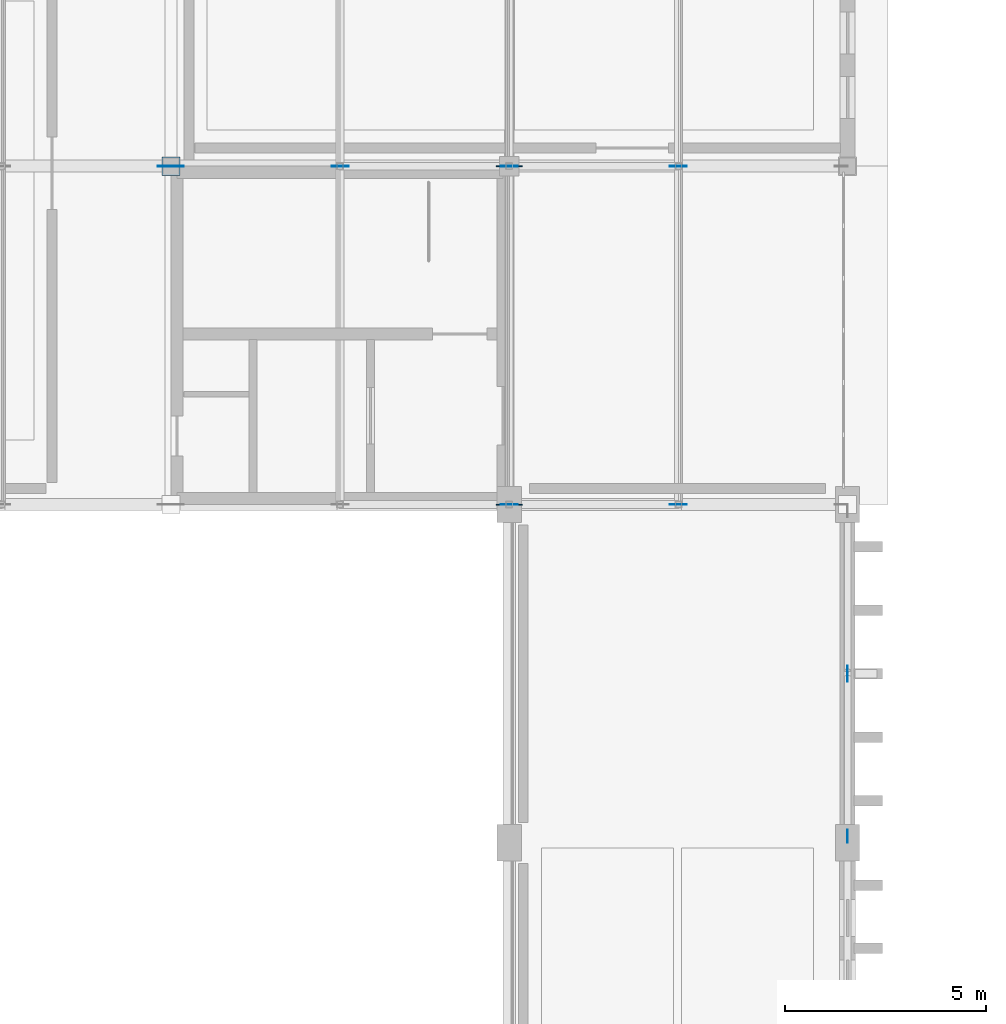
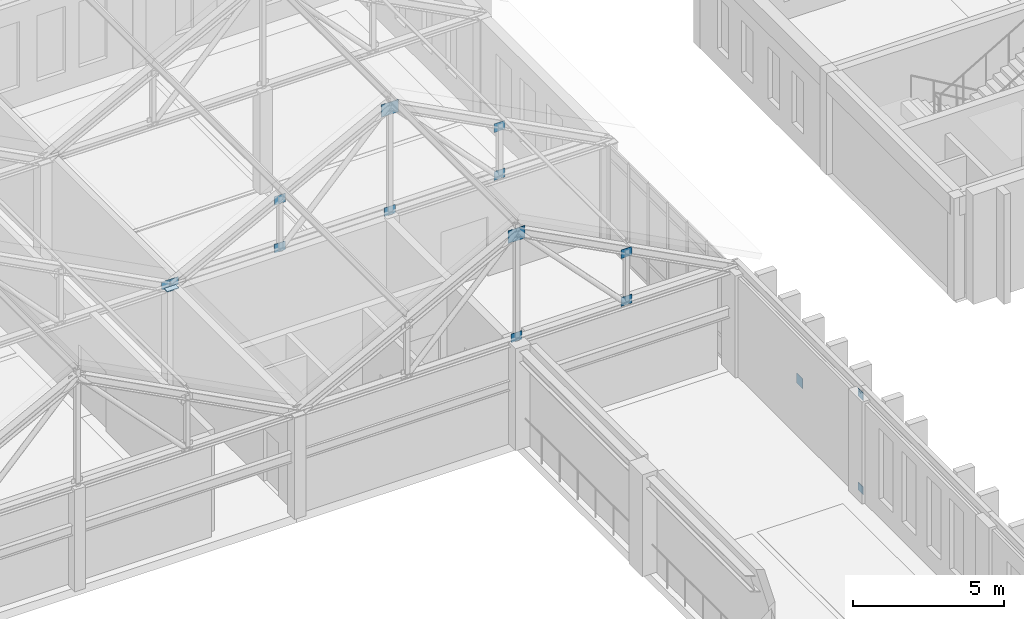
# One storey, part 148 of 192: 16 plates.
"""IFC4 building model written with IfcOpenShell, lengths in metres."""

from ifc_helpers import new_model, si_unit, direction, frame, origin, origin_2d, place, context, subcontext, project, spatial, rectangle, extrude, material, layer, layer_set, type_object, element, save


model = new_model("IFC4")

# Units and contexts
model_context = context("Model", 3, precision=1e-05, world=origin(), true_north=direction((0.0, 1.0)))
body_context = subcontext(model_context, "Body", "Model", "MODEL_VIEW")
ifc_project = project(units=[si_unit("LENGTHUNIT", "METRE"), si_unit("AREAUNIT", "SQUARE_METRE"), si_unit("VOLUMEUNIT", "CUBIC_METRE"), si_unit("PLANEANGLEUNIT", "RADIAN"), si_unit("MASSUNIT", "GRAM", prefix="KILO")], contexts=[model_context])

# Site, building, storey
site_placement = place(None, origin())
site = spatial("IfcSite", under=ifc_project, at=site_placement, CompositionType="ELEMENT")
building_placement = place(site_placement, origin())
building = spatial("IfcBuilding", under=site, at=building_placement, Name="Kveldsbrygga Polytechnic", CompositionType="ELEMENT")
storey_placement = place(building_placement, frame((0.0, 0.0, 5.43994140625)))
storey = spatial("IfcBuildingStorey", under=building, at=storey_placement, Name="L01", CompositionType="ELEMENT", Elevation=5.43994140625)

# Plates
ifc_material = material(Name="Steel S355", Category="steel")
ifc_layer_1 = layer(ifc_material, 0.030029296875)
ifc_layer_set_1 = layer_set([ifc_layer_1], Name="Steel S355")
plate_type_1 = type_object("IfcPlateType", Name="CAP-BEAR-450", PredefinedType="SHEET", material=ifc_layer_set_1)
plate_1_placement = place(storey_placement, frame((16.800048828125, 92.39990234375, 4.08984375), z_axis=(0.0, 0.0, 1.0), x_axis=(1.0, 0.0, 0.0)))
element("IfcPlate", 1, at=plate_1_placement, inside=storey, type_object=plate_type_1, Name="Truss Bearing Plate V1N1-T02-B", PredefinedType="SHEET", context=body_context, shape_type="SweptSolid", body=[
    extrude(rectangle(XDim=0.449951171875, YDim=0.449951171875, at=origin_2d()), origin(), (0.0, 0.0, 1.0), 0.030029296875),
])
ifc_layer_2 = layer(ifc_material, 0.02490234375)
ifc_layer_set_2 = layer_set([ifc_layer_2], Name="Steel S355")
plate_type_2 = type_object("IfcPlateType", Name="GUS-APEX-650", PredefinedType="SHEET", material=ifc_layer_set_2)
for number, where, z_axis, x_axis, name in (
    (2, (25.199951171875, 84.0, 8.1201171875), (0.0, 0.0, 1.0), (1.0, 0.0, 0.0), "Truss Gusset Plate V1N2-T01-GP-2"),
    (3, (25.199951171875, 92.39990234375, 8.1201171875), (0.0, 0.0, 1.0), (1.0, 0.0, 0.0), "Truss Gusset Plate V1N2-T02-GP-2"),
):
    element("IfcPlate", number, at=place(storey_placement, frame(where, z_axis=z_axis, x_axis=x_axis)), inside=storey, type_object=plate_type_2, Name=name, PredefinedType="SHEET", context=body_context, shape_type="SweptSolid", body=[
        extrude(rectangle(XDim=0.64990234375, YDim=0.02490234375, at=origin_2d()), origin(), (0.0, 0.0, 1.0), 0.5),
    ])
ifc_layer_3 = layer(ifc_material, 0.01806640625)
ifc_layer_set_3 = layer_set([ifc_layer_3], Name="Steel S355")
plate_type_3 = type_object("IfcPlateType", Name="GUS-BRACE-320", PredefinedType="SHEET", material=ifc_layer_set_3)
for number, where, z_axis, x_axis, name in (
    (4, (16.639892578125, 92.39990234375, 4.080078125), (0.0, 0.0, 1.0), (1.0, 0.0, 0.0), "Truss Eaves Node Gusset V1N1-T02-EGP-B"),
    (5, (16.9599609375, 92.39990234375, 4.080078125), (0.0, 0.0, 1.0), (1.0, 0.0, 0.0), "Truss Eaves Node Gusset V1N2-T02-EGP-A"),
):
    element("IfcPlate", number, at=place(storey_placement, frame(where, z_axis=z_axis, x_axis=x_axis)), inside=storey, type_object=plate_type_3, Name=name, PredefinedType="SHEET", context=body_context, shape_type="SweptSolid", body=[
        extrude(rectangle(XDim=0.320068359375, YDim=0.01806640625, at=origin_2d()), origin(), (0.0, 0.0, 1.0), 0.320068359375),
    ])
for number, where, z_axis, x_axis, name in (
    (6, (33.60009765625, 75.760009765625, 0.0), (0.0, 0.0, 1.0), (1.0, 0.0, 0.0), "Portal Brace End Gusset XGP-VBR-L01-E-9-1"),
    (7, (33.60009765625, 75.760009765625, 3.7998046875), (0.0, 0.0, 1.0), (1.0, 0.0, 0.0), "Portal Brace End Gusset XGP-VBR-L01-E-9-4"),
):
    element("IfcPlate", number, at=place(storey_placement, frame(where, z_axis=z_axis, x_axis=x_axis)), inside=storey, type_object=plate_type_3, Name=name, PredefinedType="SHEET", context=body_context, shape_type="SweptSolid", body=[
        extrude(rectangle(XDim=0.01806640625, YDim=0.320068359375, at=origin_2d()), origin(), (0.0, 0.0, 1.0), 0.320068359375),
    ])
ifc_layer_4 = layer(ifc_material, 0.02001953125)
ifc_layer_set_4 = layer_set([ifc_layer_4], Name="Steel S355")
plate_type_4 = type_object("IfcPlateType", Name="GUS-LECT-420", PredefinedType="SHEET", material=ifc_layer_set_4)
for number, where, z_axis, x_axis, name in (
    (8, (25.199951171875, 84.0, 4.06494140625), (0.0, 0.0, 1.0), (1.0, 0.0, 0.0), "Truss Bottom-Chord Node Gusset V1N2-T01-BGP-2"),
    (9, (29.39990234375, 84.0, 5.9951171875), (0.0, 0.0, 1.0), (1.0, 0.0, 0.0), "Truss Gusset Plate V1N2-T01-GP-3"),
    (10, (29.39990234375, 84.0, 4.06494140625), (0.0, 0.0, 1.0), (1.0, 0.0, 0.0), "Truss Bottom-Chord Node Gusset V1N2-T01-BGP-3"),
    (11, (21.0, 92.39990234375, 5.9951171875), (0.0, 0.0, 1.0), (1.0, 0.0, 0.0), "Truss Gusset Plate V1N2-T02-GP-1"),
    (12, (21.0, 92.39990234375, 4.06494140625), (0.0, 0.0, 1.0), (1.0, 0.0, 0.0), "Truss Bottom-Chord Node Gusset V1N2-T02-BGP-1"),
    (13, (25.199951171875, 92.39990234375, 4.06494140625), (0.0, 0.0, 1.0), (1.0, 0.0, 0.0), "Truss Bottom-Chord Node Gusset V1N2-T02-BGP-2"),
    (14, (29.39990234375, 92.39990234375, 5.9951171875), (0.0, 0.0, 1.0), (1.0, 0.0, 0.0), "Truss Gusset Plate V1N2-T02-GP-3"),
    (15, (29.39990234375, 92.39990234375, 4.06494140625), (0.0, 0.0, 1.0), (1.0, 0.0, 0.0), "Truss Bottom-Chord Node Gusset V1N2-T02-BGP-3"),
):
    element("IfcPlate", number, at=place(storey_placement, frame(where, z_axis=z_axis, x_axis=x_axis)), inside=storey, type_object=plate_type_4, Name=name, PredefinedType="SHEET", context=body_context, shape_type="SweptSolid", body=[
        extrude(rectangle(XDim=0.419921875, YDim=0.02001953125, at=origin_2d()), origin(), (0.0, 0.0, 1.0), 0.35009765625),
    ])
ifc_layer_5 = layer(ifc_material, 0.02001953125)
ifc_layer_set_5 = layer_set([ifc_layer_5], Name="Steel S355")
plate_type_5 = type_object("IfcPlateType", Name="GUS-XBRACE-400", PredefinedType="SHEET", material=ifc_layer_set_5)
plate_2_placement = place(storey_placement, frame((33.60009765625, 79.800048828125, 1.860107421875), z_axis=(0.0, 0.0, 1.0), x_axis=(1.0, 0.0, 0.0)))
element("IfcPlate", 16, at=plate_2_placement, inside=storey, type_object=plate_type_5, Name="Portal X-Brace Crossing Gusset XGP-VBR-L01-E-9-C", PredefinedType="SHEET", context=body_context, shape_type="SweptSolid", body=[
    extrude(rectangle(XDim=0.02001953125, YDim=0.39990234375, at=origin_2d()), origin(), (0.0, 0.0, 1.0), 0.39990234375),
])

save(model, "model.ifc")
